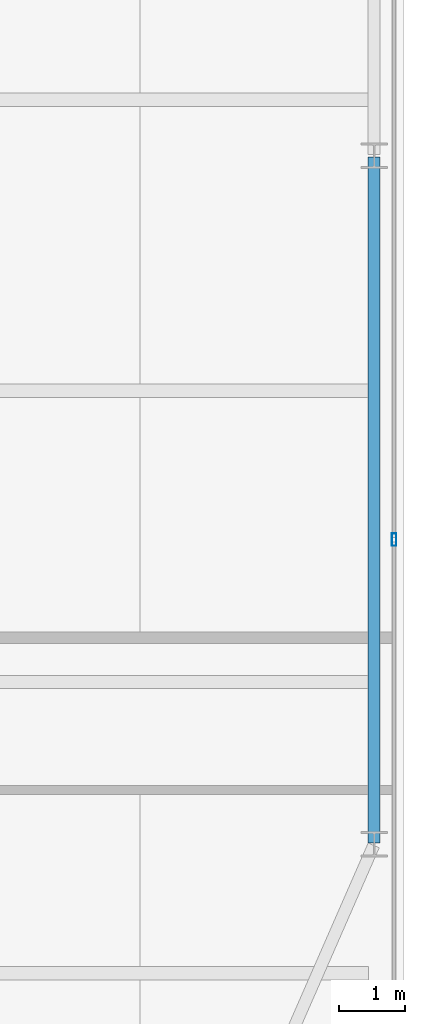
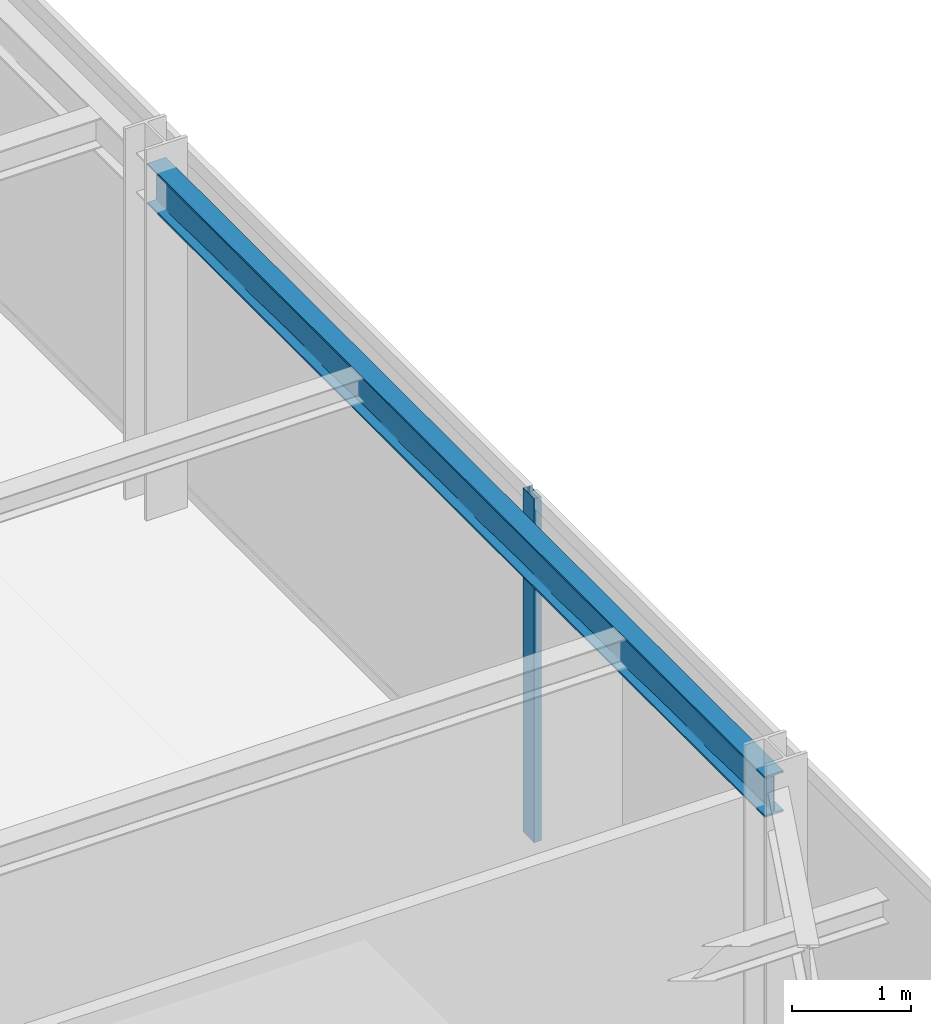
# One storey, part 18 of 31: 1 beam, 1 member, 1 element without a shape of its own.
"""IFC4 building model written with IfcOpenShell, lengths in metres."""

from ifc_helpers import new_model, si_unit, direction, frame, origin, origin_2d, place, context, subcontext, project, spatial, hollow_rectangle, i_section, extrude, source, transform, mapped, material, layer, layer_set, material_profile, profile_set, type_object, type_shapes, element, aggregate, save


model = new_model("IFC4")

# Units and contexts
model_context = context("Model", 3, precision=1e-05, world=origin(), true_north=direction((0.0, 1.0)))
body_context = subcontext(model_context, "Body", "Model", "MODEL_VIEW")
ifc_project = project(units=[si_unit("LENGTHUNIT", "METRE"), si_unit("AREAUNIT", "SQUARE_METRE"), si_unit("VOLUMEUNIT", "CUBIC_METRE"), si_unit("PLANEANGLEUNIT", "RADIAN"), si_unit("MASSUNIT", "GRAM", prefix="KILO")], contexts=[model_context])

# Site, building, storey
site_placement = place(None, origin())
site = spatial("IfcSite", under=ifc_project, at=site_placement, CompositionType="ELEMENT")
building_placement = place(site_placement, origin())
building = spatial("IfcBuilding", under=site, at=building_placement, Name="Varnel Quay Broadcast Tower", CompositionType="ELEMENT")
storey_placement = place(building_placement, frame((0.0, 0.0, 94.60009765625)))
storey = spatial("IfcBuildingStorey", under=building, at=storey_placement, Name="L22", CompositionType="ELEMENT", Elevation=94.60009765625)

# Beam
ifc_material_1 = material(Name="Structural Steel CSA G40.21 350W", Category="steel")
ifc_material_profile_1 = material_profile(ifc_material_1, i_section(OverallWidth=0.180908203125, OverallDepth=0.4169921875, WebThickness=0.010986328125, FlangeThickness=0.018310546875, FilletRadius=0.011962890625, at=origin_2d()), Name="W410X85")
ifc_profile_set_1 = profile_set([ifc_material_profile_1], Name="Structural Steel CSA G40.21 350W")
beam_type = type_object("IfcBeamType", Name="Beam_W410X85", PredefinedType="SPANDREL", material=ifc_profile_set_1)
shared_shape_1 = source(origin(), body_context, "Body", "SweptSolid", [
    extrude(i_section(OverallWidth=0.180908203125, OverallDepth=0.4169921875, WebThickness=0.010986328125, FlangeThickness=0.018310546875, FilletRadius=0.011962890625, at=origin_2d()), origin(), (0.0, 0.0, 1.0), 10.35986328125),
])
type_shapes(beam_type, [shared_shape_1])
beam_placement = place(storey_placement, frame((63.050048828125, 15.02001953125, 3.3115234375), z_axis=(0.0, 1.0, 0.0), x_axis=(-1.0, 0.0, 0.0)))
element("IfcBeam", 1, at=beam_placement, inside=storey, type_object=beam_type, Name="L22 East Spandrel TC-E1-TC-E2", PredefinedType="SPANDREL", context=body_context, shape_type="MappedRepresentation", body=[
    mapped(shared_shape_1, transform((0.0, 0.0, 0.0), x_axis=(1.0, 0.0, 0.0), y_axis=(0.0, 1.0, 0.0), z_axis=(0.0, 0.0, 1.0), scale=1.0)),
])

# Curtain wall, member
ifc_material_2 = material(Name="Anodised Bronze Aluminium 6063-T6", Category="aluminium")
ifc_layer = layer(ifc_material_2, 0.18994140625, Name="Anodised Bronze Aluminium 6063-T6")
ifc_layer_set = layer_set([ifc_layer], Name="Anodised Bronze Aluminium 6063-T6")
curtain_wall_type = type_object("IfcCurtainWallType", Name="CW_LowerTower", PredefinedType="NOTDEFINED", material=ifc_layer_set)
curtain_wall_placement = place(storey_placement, origin())
curtain_wall = element("IfcCurtainWall", 2, at=curtain_wall_placement, inside=storey, type_object=curtain_wall_type, Name="L22 East Unitised Curtain Wall", PredefinedType="NOTDEFINED")
ifc_material_profile_2 = material_profile(ifc_material_2, hollow_rectangle(XDim=0.070068359375, YDim=0.18994140625, WallThickness=0.00390625, at=origin_2d()), Name="ALU70X190X4")
ifc_profile_set_2 = profile_set([ifc_material_profile_2], Name="Anodised Bronze Aluminium 6063-T6")
member_type = type_object("IfcMemberType", Name="Mull_CWS-02", PredefinedType="MULLION", material=ifc_profile_set_2)
shared_shape_2 = source(origin(), body_context, "Body", "SweptSolid", [
    extrude(hollow_rectangle(XDim=0.070068359375, YDim=0.18994140625, WallThickness=0.00390625, at=origin_2d()), origin(), (0.0, 0.0, 1.0), 3.52001953125),
])
type_shapes(member_type, [shared_shape_2])
member_placement = place(storey_placement, frame((63.35009765625, 19.60009765625, 0.0), z_axis=(0.0, 0.0, 1.0), x_axis=(-1.0, 0.0, 0.0)))
member = element("IfcMember", 3, at=member_placement, type_object=member_type, Name="CWS-02 mullion 2", PredefinedType="MULLION", context=body_context, shape_type="MappedRepresentation", body=[
    mapped(shared_shape_2, transform((0.0, 0.0, 0.0), x_axis=(1.0, 0.0, 0.0), y_axis=(0.0, 1.0, 0.0), z_axis=(0.0, 0.0, 1.0), scale=1.0)),
])
aggregate(curtain_wall, [member])

save(model, "model.ifc")
